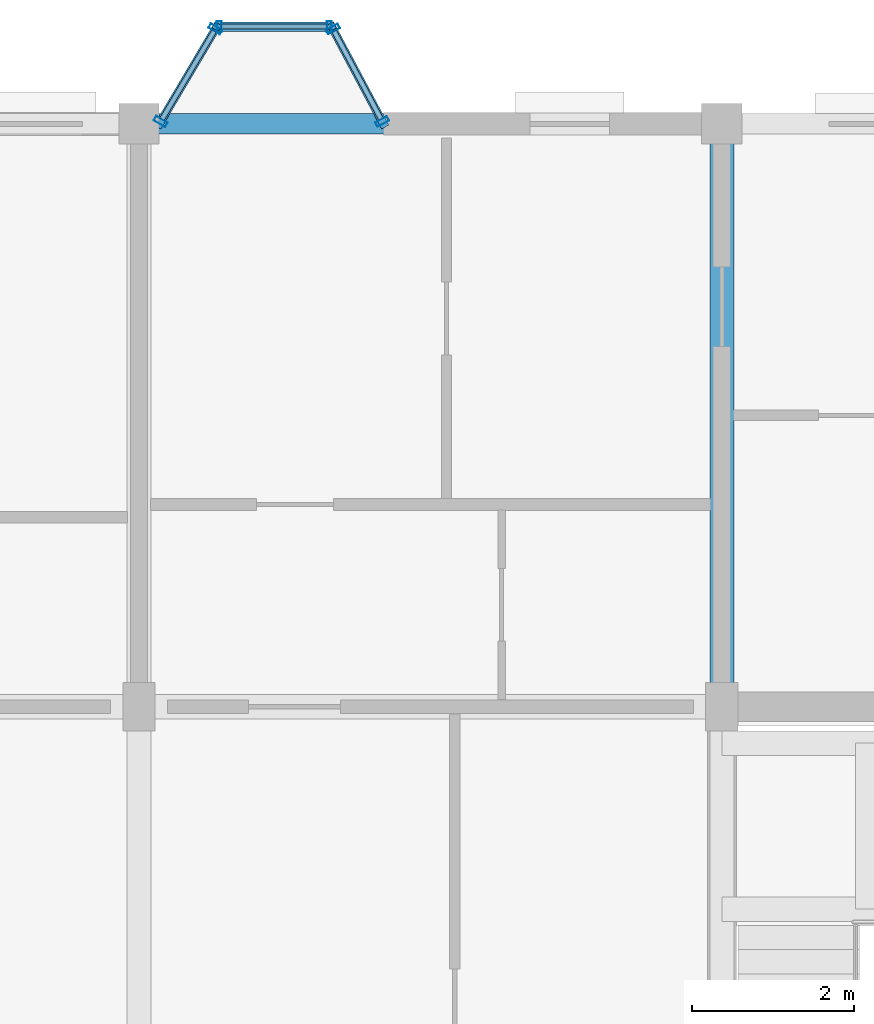
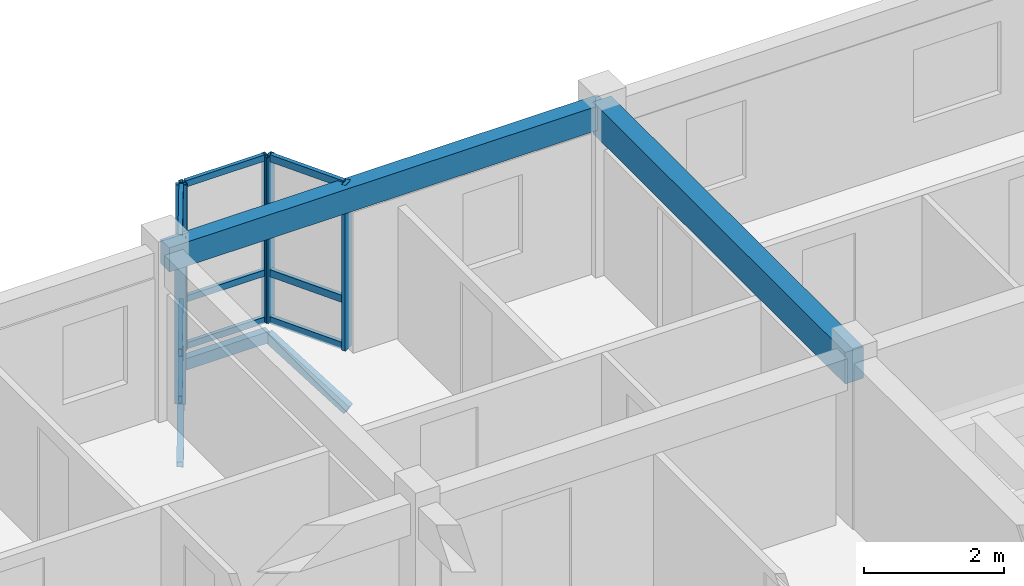
# One storey, part 9 of 38: 18 members, 2 beams, 3 elements without a shape of their own.
"""IFC4 building model written with IfcOpenShell, lengths in metres."""

from ifc_helpers import new_model, si_unit, direction, frame, origin, origin_2d, place, context, subcontext, project, spatial, rectangle, hollow_rectangle, extrude, material, layer, layer_set, material_profile, profile_set, type_object, element, aggregate, save


model = new_model("IFC4")

# Units and contexts
model_context = context("Model", 3, precision=1e-05, world=origin(), true_north=direction((0.0, 1.0)))
body_context = subcontext(model_context, "Body", "Model", "MODEL_VIEW")
ifc_project = project(units=[si_unit("LENGTHUNIT", "METRE"), si_unit("AREAUNIT", "SQUARE_METRE"), si_unit("VOLUMEUNIT", "CUBIC_METRE"), si_unit("PLANEANGLEUNIT", "RADIAN"), si_unit("MASSUNIT", "GRAM", prefix="KILO"), si_unit("THERMODYNAMICTEMPERATUREUNIT", "KELVIN"), si_unit("POWERUNIT", "WATT")], contexts=[model_context])

# Site, building, storey
site_placement = place(None, origin())
site = spatial("IfcSite", under=ifc_project, at=site_placement, CompositionType="ELEMENT")
building_placement = place(site_placement, origin())
building = spatial("IfcBuilding", under=site, at=building_placement, Name="Tavuni Mirador Residences", CompositionType="ELEMENT")
storey_placement = place(building_placement, frame((0.0, 0.0, 32.85009765625)))
storey = spatial("IfcBuildingStorey", under=building, at=storey_placement, Name="L10", CompositionType="ELEMENT", Elevation=32.85009765625)

# Beams
ifc_material_1 = material(Name="Precast concrete C40/50", Category="concrete")
ifc_material_profile_1 = material_profile(ifc_material_1, rectangle(XDim=0.300048828125, YDim=0.550048828125, at=origin_2d()), Name="PC 300x550", Category="concrete")
ifc_profile_set_1 = profile_set([ifc_material_profile_1], Name="Precast concrete C40/50")
beam_type_1 = type_object("IfcBeamType", Name="BT-B550", PredefinedType="BEAM", material=ifc_profile_set_1)
beam_1_placement = place(storey_placement, frame((25.199951171875, 165.60009765625, 2.60986328125), z_axis=(0.0, 1.0, 0.0), x_axis=(-1.0, 0.0, 0.0)))
element("IfcBeam", 1, at=beam_1_placement, inside=storey, type_object=beam_type_1, Name="BMY-BLK-C-L10-02-03", PredefinedType="BEAM", context=body_context, shape_type="SweptSolid", body=[
    extrude(rectangle(XDim=0.300048828125, YDim=0.550048828125, at=origin_2d()), origin(), (0.0, 0.0, 1.0), 7.199951171875),
])
ifc_material_profile_2 = material_profile(ifc_material_1, rectangle(XDim=0.25, YDim=0.419921875, at=origin_2d()), Name="PC 250x420", Category="concrete")
ifc_profile_set_2 = profile_set([ifc_material_profile_2], Name="Precast concrete C40/50")
beam_type_2 = type_object("IfcBeamType", Name="BT-SP420", PredefinedType="SPANDREL", material=ifc_profile_set_2)
beam_2_placement = place(storey_placement, frame((18.0, 172.800048828125, 2.6748046875), z_axis=(1.0, 0.0, 0.0), x_axis=(0.0, 1.0, 0.0)))
element("IfcBeam", 2, at=beam_2_placement, inside=storey, type_object=beam_type_2, Name="BMX-BLK-C-L10-01-04", PredefinedType="SPANDREL", context=body_context, shape_type="SweptSolid", body=[
    extrude(rectangle(XDim=0.25, YDim=0.419921875, at=origin_2d()), origin(), (0.0, 0.0, 1.0), 7.199951171875),
])

# Curtain wall, members
ifc_material_2 = material(Name="Anodised aluminium", Category="aluminium")
ifc_layer_1 = layer(ifc_material_2, 0.1650390625, Name="Anodised aluminium", Category="aluminium")
ifc_layer_set_1 = layer_set([ifc_layer_1], Name="Anodised aluminium")
curtain_wall_type_1 = type_object("IfcCurtainWallType", Name="CWT-MIR-A", PredefinedType="NOTDEFINED", material=ifc_layer_set_1)
curtain_wall_1_placement = place(storey_placement, origin())
curtain_wall_1 = element("IfcCurtainWall", 3, at=curtain_wall_1_placement, inside=storey, type_object=curtain_wall_type_1, Name="CW-MIR-C-N1-L10-MF", PredefinedType="NOTDEFINED")
ifc_material_profile_3 = material_profile(ifc_material_2, hollow_rectangle(XDim=0.06005859375, YDim=0.139892578125, WallThickness=0.00390625, at=origin_2d()), Name="ALU 60x140x4.0", Category="aluminium")
ifc_profile_set_3 = profile_set([ifc_material_profile_3], Name="Anodised aluminium")
member_type_1 = type_object("IfcMemberType", Name="CWM-140", PredefinedType="MULLION", material=ifc_profile_set_3)
member_1_placement = place(storey_placement, frame((20.35009765625, 174.0, 0.0), z_axis=(0.0, 0.0, 1.0), x_axis=(-1.0, 0.0, 0.0)))
member_1 = element("IfcMember", 4, at=member_1_placement, type_object=member_type_1, Name="CW-01 mullion 1", PredefinedType="MULLION", context=body_context, shape_type="SweptSolid", body=[
    extrude(hollow_rectangle(XDim=0.06005859375, YDim=0.139892578125, WallThickness=0.00390625, at=origin_2d()), origin(), (0.0, 0.0, 1.0), 2.885009765625),
])
member_2_placement = place(storey_placement, frame((18.989990234375, 174.0, 0.0), z_axis=(0.0, 0.0, 1.0), x_axis=(-1.0, 0.0, 0.0)))
member_2 = element("IfcMember", 5, at=member_2_placement, type_object=member_type_1, Name="CW-01 mullion 2", PredefinedType="MULLION", context=body_context, shape_type="SweptSolid", body=[
    extrude(hollow_rectangle(XDim=0.06005859375, YDim=0.139892578125, WallThickness=0.00390625, at=origin_2d()), origin(), (0.0, 0.0, 1.0), 2.885009765625),
])

ifc_layer_2 = layer(ifc_material_2, 0.159912109375, Name="Anodised aluminium", Category="aluminium")
ifc_layer_set_2 = layer_set([ifc_layer_2], Name="Anodised aluminium")
curtain_wall_type_2 = type_object("IfcCurtainWallType", Name="CWT-MIR-D", PredefinedType="NOTDEFINED", material=ifc_layer_set_2)
curtain_wall_2_placement = place(storey_placement, origin())
curtain_wall_2 = element("IfcCurtainWall", 6, at=curtain_wall_2_placement, inside=storey, type_object=curtain_wall_type_2, Name="CW-MIR-C-N1-L10-M1", PredefinedType="NOTDEFINED")
ifc_material_profile_4 = material_profile(ifc_material_2, hollow_rectangle(XDim=0.06494140625, YDim=0.1650390625, WallThickness=0.00439453125, at=origin_2d()), Name="ALU 65x165x4.5", Category="aluminium")
ifc_profile_set_4 = profile_set([ifc_material_profile_4], Name="Anodised aluminium")
member_type_2 = type_object("IfcMemberType", Name="CWM-165", PredefinedType="MULLION", material=ifc_profile_set_4)
member_3_placement = place(storey_placement, frame((21.004638671875, 172.82861328125, 0.0), z_axis=(0.0, 0.0, 1.0), x_axis=(-0.470588235296, 0.882352941175, 0.0)))
member_3 = element("IfcMember", 7, at=member_3_placement, type_object=member_type_2, Name="CW-04 mullion 1", PredefinedType="MULLION", context=body_context, shape_type="SweptSolid", body=[
    extrude(hollow_rectangle(XDim=0.06494140625, YDim=0.1650390625, WallThickness=0.00439453125, at=origin_2d()), origin(), (0.0, 0.0, 1.0), 2.885009765625),
])
member_4_placement = place(storey_placement, frame((20.395263671875, 173.971435546875, 0.0), z_axis=(0.0, 0.0, 1.0), x_axis=(-0.470588235296, 0.882352941175, 0.0)))
member_4 = element("IfcMember", 8, at=member_4_placement, type_object=member_type_2, Name="CW-04 mullion 2", PredefinedType="MULLION", context=body_context, shape_type="SweptSolid", body=[
    extrude(hollow_rectangle(XDim=0.06494140625, YDim=0.1650390625, WallThickness=0.00439453125, at=origin_2d()), origin(), (0.0, 0.0, 1.0), 2.885009765625),
])

ifc_layer_3 = layer(ifc_material_2, 0.14990234375, Name="Anodised aluminium", Category="aluminium")
ifc_layer_set_3 = layer_set([ifc_layer_3], Name="Anodised aluminium")
curtain_wall_type_3 = type_object("IfcCurtainWallType", Name="CWT-MIR-B", PredefinedType="NOTDEFINED", material=ifc_layer_set_3)
curtain_wall_3_placement = place(storey_placement, origin())
curtain_wall_3 = element("IfcCurtainWall", 9, at=curtain_wall_3_placement, inside=storey, type_object=curtain_wall_type_3, Name="CW-MIR-C-N1-L10-M2", PredefinedType="NOTDEFINED")
member_5_placement = place(storey_placement, frame((18.943359375, 173.971923828125, 0.0), z_axis=(0.0, 0.0, 1.0), x_axis=(-0.509212491254, -0.860640830284, 0.0)))
member_5 = element("IfcMember", 10, at=member_5_placement, type_object=member_type_2, Name="CW-02 mullion 1", PredefinedType="MULLION", context=body_context, shape_type="SweptSolid", body=[
    extrude(hollow_rectangle(XDim=0.06494140625, YDim=0.1650390625, WallThickness=0.00439453125, at=origin_2d()), origin(), (0.0, 0.0, 1.0), 2.885009765625),
])
member_6_placement = place(storey_placement, frame((18.2666015625, 172.827880859375, 0.0), z_axis=(0.0, 0.0, 1.0), x_axis=(-0.509212491254, -0.860640830284, 0.0)))
member_6 = element("IfcMember", 11, at=member_6_placement, type_object=member_type_2, Name="CW-02 mullion 2", PredefinedType="MULLION", context=body_context, shape_type="SweptSolid", body=[
    extrude(hollow_rectangle(XDim=0.06494140625, YDim=0.1650390625, WallThickness=0.00439453125, at=origin_2d()), origin(), (0.0, 0.0, 1.0), 2.885009765625),
])

# Member
ifc_material_profile_5 = material_profile(ifc_material_2, hollow_rectangle(XDim=0.06005859375, YDim=0.110107421875, WallThickness=0.00390625, at=origin_2d()), Name="ALU 60x110x4.0", Category="aluminium")
ifc_profile_set_5 = profile_set([ifc_material_profile_5], Name="Anodised aluminium")
member_type_3 = type_object("IfcMemberType", Name="CWT-110", PredefinedType="USERDEFINED", material=ifc_profile_set_5)
member_7_placement = place(storey_placement, frame((20.320068359375, 174.0, 0.02978515625), z_axis=(-1.0, 0.0, 0.0), x_axis=(0.0, -1.0, 0.0)))
member_7 = element("IfcMember", 12, at=member_7_placement, type_object=member_type_3, Name="CW-01 transom 1.1", ObjectType="TRANSOM", PredefinedType="USERDEFINED", context=body_context, shape_type="SweptSolid", body=[
    extrude(hollow_rectangle(XDim=0.06005859375, YDim=0.110107421875, WallThickness=0.00390625, at=origin_2d()), origin(), (0.0, 0.0, 1.0), 1.300048828125),
])

member_8_placement = place(storey_placement, frame((20.320068359375, 174.0, 0.849853515625), z_axis=(-1.0, 0.0, 0.0), x_axis=(0.0, -1.0, 0.0)))
member_8 = element("IfcMember", 13, at=member_8_placement, type_object=member_type_3, Name="CW-01 transom 1.2", ObjectType="TRANSOM", PredefinedType="USERDEFINED", context=body_context, shape_type="SweptSolid", body=[
    extrude(hollow_rectangle(XDim=0.06005859375, YDim=0.110107421875, WallThickness=0.00390625, at=origin_2d()), origin(), (0.0, 0.0, 1.0), 1.300048828125),
])

member_9_placement = place(storey_placement, frame((20.320068359375, 174.0, 2.85498046875), z_axis=(-1.0, 0.0, 0.0), x_axis=(0.0, -1.0, 0.0)))
member_9 = element("IfcMember", 14, at=member_9_placement, type_object=member_type_3, Name="CW-01 transom 1.3", ObjectType="TRANSOM", PredefinedType="USERDEFINED", context=body_context, shape_type="SweptSolid", body=[
    extrude(hollow_rectangle(XDim=0.06005859375, YDim=0.110107421875, WallThickness=0.00390625, at=origin_2d()), origin(), (0.0, 0.0, 1.0), 1.300048828125),
])

aggregate(curtain_wall_1, [member_1, member_2, member_7, member_8, member_9])

ifc_material_profile_6 = material_profile(ifc_material_2, hollow_rectangle(XDim=0.06494140625, YDim=0.125, WallThickness=0.00439453125, at=origin_2d()), Name="ALU 65x125x4.5", Category="aluminium")
ifc_profile_set_6 = profile_set([ifc_material_profile_6], Name="Anodised aluminium")
member_type_4 = type_object("IfcMemberType", Name="CWT-125", PredefinedType="USERDEFINED", material=ifc_profile_set_6)
member_10_placement = place(storey_placement, frame((20.989501953125, 172.857421875, 0.032470703125), z_axis=(-0.470639747922, 0.882325465843, 0.0), x_axis=(-0.882325465843, -0.470639747922, 0.0)))
member_10 = element("IfcMember", 15, at=member_10_placement, type_object=member_type_4, Name="CW-04 transom 1.1", ObjectType="TRANSOM", PredefinedType="USERDEFINED", context=body_context, shape_type="SweptSolid", body=[
    extrude(hollow_rectangle(XDim=0.06494140625, YDim=0.125, WallThickness=0.00439453125, at=origin_2d()), origin(), (0.0, 0.0, 1.0), 1.22998046875),
])

member_11_placement = place(storey_placement, frame((20.989501953125, 172.857421875, 0.849853515625), z_axis=(-0.470639747922, 0.882325465843, 0.0), x_axis=(-0.882325465843, -0.470639747922, 0.0)))
member_11 = element("IfcMember", 16, at=member_11_placement, type_object=member_type_4, Name="CW-04 transom 1.2", ObjectType="TRANSOM", PredefinedType="USERDEFINED", context=body_context, shape_type="SweptSolid", body=[
    extrude(hollow_rectangle(XDim=0.06494140625, YDim=0.125, WallThickness=0.00439453125, at=origin_2d()), origin(), (0.0, 0.0, 1.0), 1.22998046875),
])

member_12_placement = place(storey_placement, frame((20.989501953125, 172.857421875, 2.852294921875), z_axis=(-0.470639747922, 0.882325465843, 0.0), x_axis=(-0.882325465843, -0.470639747922, 0.0)))
member_12 = element("IfcMember", 17, at=member_12_placement, type_object=member_type_4, Name="CW-04 transom 1.3", ObjectType="TRANSOM", PredefinedType="USERDEFINED", context=body_context, shape_type="SweptSolid", body=[
    extrude(hollow_rectangle(XDim=0.06494140625, YDim=0.125, WallThickness=0.00439453125, at=origin_2d()), origin(), (0.0, 0.0, 1.0), 1.22998046875),
])

aggregate(curtain_wall_2, [member_3, member_4, member_10, member_11, member_12])

member_13_placement = place(storey_placement, frame((18.927001953125, 173.944091796875, 0.032470703125), z_axis=(-0.509204147839, -0.860645766749, 0.0), x_axis=(0.860645766749, -0.509204147839, 0.0)))
member_13 = element("IfcMember", 18, at=member_13_placement, type_object=member_type_4, Name="CW-02 transom 1.1", ObjectType="TRANSOM", PredefinedType="USERDEFINED", context=body_context, shape_type="SweptSolid", body=[
    extrude(hollow_rectangle(XDim=0.06494140625, YDim=0.125, WallThickness=0.00439453125, at=origin_2d()), origin(), (0.0, 0.0, 1.0), 1.264404296875),
])

member_14_placement = place(storey_placement, frame((18.927001953125, 173.944091796875, 0.849853515625), z_axis=(-0.509204147839, -0.860645766749, 0.0), x_axis=(0.860645766749, -0.509204147839, 0.0)))
member_14 = element("IfcMember", 19, at=member_14_placement, type_object=member_type_4, Name="CW-02 transom 1.2", ObjectType="TRANSOM", PredefinedType="USERDEFINED", context=body_context, shape_type="SweptSolid", body=[
    extrude(hollow_rectangle(XDim=0.06494140625, YDim=0.125, WallThickness=0.00439453125, at=origin_2d()), origin(), (0.0, 0.0, 1.0), 1.264404296875),
])

member_15_placement = place(storey_placement, frame((18.927001953125, 173.944091796875, 2.852294921875), z_axis=(-0.509204147839, -0.860645766749, 0.0), x_axis=(0.860645766749, -0.509204147839, 0.0)))
member_15 = element("IfcMember", 20, at=member_15_placement, type_object=member_type_4, Name="CW-02 transom 1.3", ObjectType="TRANSOM", PredefinedType="USERDEFINED", context=body_context, shape_type="SweptSolid", body=[
    extrude(hollow_rectangle(XDim=0.06494140625, YDim=0.125, WallThickness=0.00439453125, at=origin_2d()), origin(), (0.0, 0.0, 1.0), 1.264404296875),
])

aggregate(curtain_wall_3, [member_5, member_6, member_13, member_14, member_15])

# Members
ifc_material_3 = material(Name="Structural steel S355", Category="steel")
ifc_material_profile_7 = material_profile(ifc_material_3, hollow_rectangle(XDim=0.10009765625, YDim=0.179931640625, WallThickness=0.008056640625, at=origin_2d()), Name="RHS 180x100x8.0", Category="steel")
ifc_profile_set_7 = profile_set([ifc_material_profile_7], Name="Structural steel S355")
member_type_5 = type_object("IfcMemberType", Name="MT-BR-RHS180", PredefinedType="BRACE", material=ifc_profile_set_7)
member_16_placement = place(storey_placement, frame((18.25, 172.800048828125, -1.050048828125), z_axis=(0.443724340816, 0.74996737796, 0.490568691789), x_axis=(-0.860644027762, 0.509207087026, 0.0)))
element("IfcMember", 21, at=member_16_placement, inside=storey, type_object=member_type_5, Name="MBRK-MIR-C-N1-L10-1", PredefinedType="BRACE", context=body_context, shape_type="SweptSolid", body=[
    extrude(hollow_rectangle(XDim=0.10009765625, YDim=0.179931640625, WallThickness=0.008056640625, at=origin_2d()), origin(), (0.0, 0.0, 1.0), 1.60009765625),
])
member_17_placement = place(storey_placement, frame((21.02001953125, 172.800048828125, -1.050048828125), z_axis=(-0.407660536563, 0.76416915988, 0.499858361956), x_axis=(-0.882303244255, -0.470681405175, 0.0)))
element("IfcMember", 22, at=member_17_placement, inside=storey, type_object=member_type_5, Name="MBRK-MIR-C-N1-L10-2", PredefinedType="BRACE", context=body_context, shape_type="SweptSolid", body=[
    extrude(hollow_rectangle(XDim=0.10009765625, YDim=0.179931640625, WallThickness=0.008056640625, at=origin_2d()), origin(), (0.0, 0.0, 1.0), 1.5703125),
])
ifc_material_profile_8 = material_profile(ifc_material_3, hollow_rectangle(XDim=0.1201171875, YDim=0.199951171875, WallThickness=0.010009765625, at=origin_2d()), Name="RHS 200x120x10.0", Category="steel")
ifc_profile_set_8 = profile_set([ifc_material_profile_8], Name="Structural steel S355")
member_type_6 = type_object("IfcMemberType", Name="MT-ST-RHS200", PredefinedType="STRUT", material=ifc_profile_set_8)
member_18_placement = place(storey_placement, frame((18.9599609375, 174.0, -0.26513671875), z_axis=(1.0, 0.0, 0.0), x_axis=(0.0, 1.0, 0.0)))
element("IfcMember", 23, at=member_18_placement, inside=storey, type_object=member_type_6, Name="MRIM-MIR-C-N1-L10", PredefinedType="STRUT", context=body_context, shape_type="SweptSolid", body=[
    extrude(hollow_rectangle(XDim=0.1201171875, YDim=0.199951171875, WallThickness=0.010009765625, at=origin_2d()), origin(), (0.0, 0.0, 1.0), 1.419921875),
])

save(model, "model.ifc")
